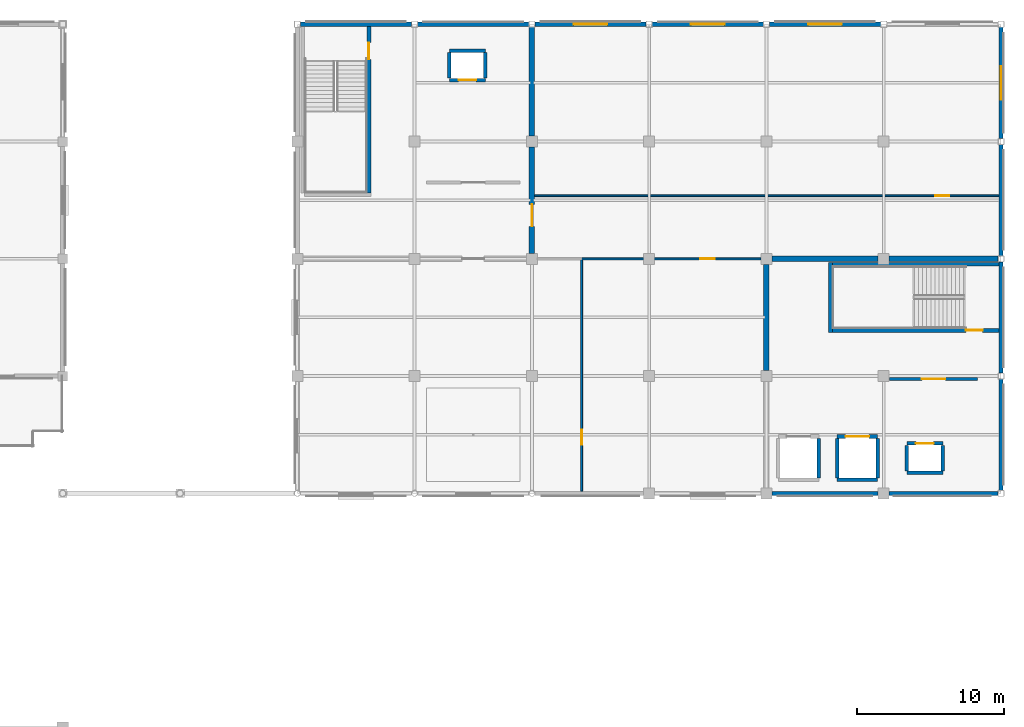
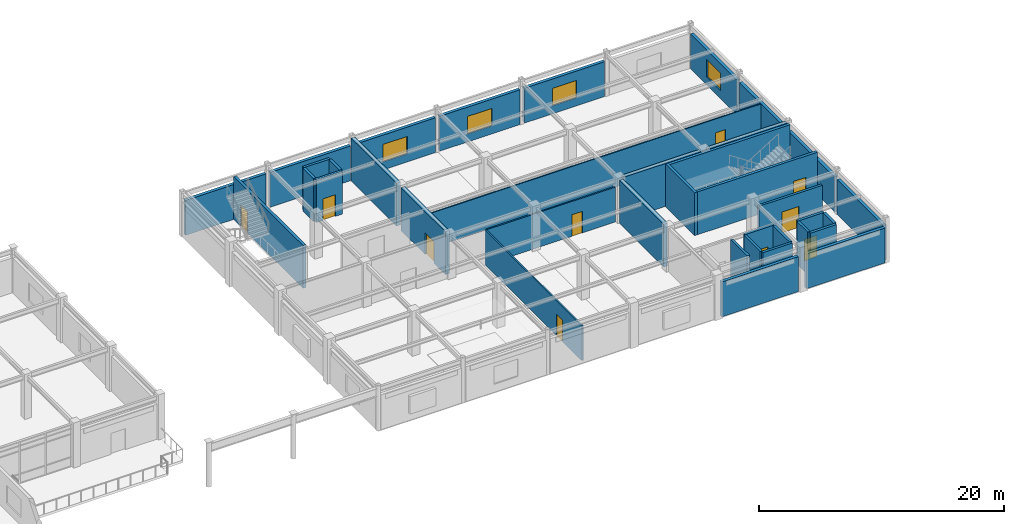
# One storey, part 64 of 78: 37 walls, 10 doors, 4 windows, 14 openings.
"""IFC4 building model written with IfcOpenShell, lengths in metres."""

from ifc_helpers import new_model, si_unit, direction, frame, frame_2d, origin, place, context, subcontext, project, spatial, rectangle, extrude, material, layer, layer_set, type_object, element, fill, save


model = new_model("IFC4")

# Units and contexts
model_context = context("Model", 3, precision=1e-05, world=origin(), true_north=direction((0.0, 1.0)))
body_context = subcontext(model_context, "Body", "Model", "MODEL_VIEW")
ifc_project = project(units=[si_unit("LENGTHUNIT", "METRE"), si_unit("AREAUNIT", "SQUARE_METRE"), si_unit("VOLUMEUNIT", "CUBIC_METRE"), si_unit("PLANEANGLEUNIT", "RADIAN"), si_unit("MASSUNIT", "GRAM", prefix="KILO")], contexts=[model_context])

# Site, building, storey
site_placement = place(None, origin())
site = spatial("IfcSite", under=ifc_project, at=site_placement, CompositionType="ELEMENT")
building_placement = place(site_placement, origin())
building = spatial("IfcBuilding", under=site, at=building_placement, Name="Solmirada Galleria", CompositionType="ELEMENT")
storey_placement = place(building_placement, frame((0.0, 0.0, 23.89990234375)))
storey = spatial("IfcBuildingStorey", under=building, at=storey_placement, Name="L05", CompositionType="ELEMENT", Elevation=23.89990234375)

# Wall, opening, door
ifc_material_1 = material(Name="Concrete C40/50", Category="concrete")
ifc_layer_1 = layer(ifc_material_1, 0.3798828125)
ifc_layer_set_1 = layer_set([ifc_layer_1], Name="Concrete C40/50")
wall_type_1 = type_object("IfcWallType", Name="WL-CORE-380", PredefinedType="SHEAR", material=ifc_layer_set_1)
wall_1_placement = place(storey_placement, frame((144.0, 104.375, 0.0), z_axis=(0.0, 0.0, 1.0), x_axis=(0.0, 1.0, 0.0)))
wall_1 = element("IfcWall", 1, at=wall_1_placement, inside=storey, type_object=wall_type_1, Name="Core C3 shear wall L05 E1", PredefinedType="SHEAR", context=body_context, shape_type="SweptSolid", body=[
    extrude(rectangle(XDim=7.25, YDim=0.3798828125, at=frame_2d((3.625, 0.0))), origin(), (0.0, 0.0, 1.0), 4.280029296875),
])
opening_1_placement = place(wall_1_placement, frame((1.837890625, 0.0, 0.0)))
opening_1 = element("IfcOpeningElement", 2, at=opening_1_placement, cuts=wall_1, Name="Opening LDY-195", PredefinedType="OPENING", context=body_context, shape_type="SweptSolid", body=[
    extrude(rectangle(XDim=1.5, YDim=2.14990234375, at=frame_2d((0.75, 1.074951171875))), frame((0.0, 0.199951171875, 0.0), z_axis=(0.0, -1.0, 0.0), x_axis=(1.0, 0.0, 0.0)), (0.0, 0.0, 1.0), 0.39990234375),
])
ifc_material_2 = material(Name="Fire-rated painted steel door assembly", Category="steel")
door_type_1 = type_object("IfcDoorType", Name="DR-LOBBY-150X215", OperationType="DOUBLE_DOOR_SINGLE_SWING", PredefinedType="DOOR", material=ifc_material_2)
door_1_placement = place(opening_1_placement, origin())
door_1 = element("IfcDoor", 3, at=door_1_placement, inside=storey, type_object=door_type_1, Name="Core C3 lobby access fire door LDY-195", OperationType="DOUBLE_DOOR_SINGLE_SWING", OverallHeight=2.14990234375, OverallWidth=1.5, PredefinedType="DOOR", context=body_context, shape_type="SweptSolid", body=[
    extrude(rectangle(XDim=1.5, YDim=2.14990234375, at=frame_2d((0.75, 1.074951171875))), frame((0.0, 0.02490234375, 0.0), z_axis=(0.0, -1.0, 0.0), x_axis=(1.0, 0.0, 0.0)), (0.0, 0.0, 1.0), 0.050048828125),
])
fill(opening_1, door_1)

# Walls
wall_2_placement = place(storey_placement, frame((144.0, 112.375, 0.0), z_axis=(0.0, 0.0, 1.0), x_axis=(0.0, 1.0, 0.0)))
element("IfcWall", 4, at=wall_2_placement, inside=storey, type_object=wall_type_1, Name="Core C3 shear wall L05 E2", PredefinedType="SHEAR", context=body_context, shape_type="SweptSolid", body=[
    extrude(rectangle(XDim=7.422119140625, YDim=0.3798828125, at=frame_2d((3.7109375, 0.0))), origin(), (0.0, 0.0, 1.0), 4.280029296875),
])
wall_3_placement = place(storey_placement, frame((160.375, 104.0, 0.0), z_axis=(0.0, 0.0, 1.0), x_axis=(1.0, 0.0, 0.0)))
element("IfcWall", 5, at=wall_3_placement, inside=storey, type_object=wall_type_1, Name="Core C4 shear wall L05 N1", PredefinedType="SHEAR", context=body_context, shape_type="SweptSolid", body=[
    extrude(rectangle(XDim=7.25, YDim=0.3798828125, at=frame_2d((3.625, 0.0))), origin(), (0.0, 0.0, 1.0), 4.280029296875),
])
wall_4_placement = place(storey_placement, frame((168.375, 104.0, 0.0), z_axis=(0.0, 0.0, 1.0), x_axis=(1.0, 0.0, 0.0)))
element("IfcWall", 6, at=wall_4_placement, inside=storey, type_object=wall_type_1, Name="Core C4 shear wall L05 N2", PredefinedType="SHEAR", context=body_context, shape_type="SweptSolid", body=[
    extrude(rectangle(XDim=7.422119140625, YDim=0.3798828125, at=frame_2d((3.7109375, 0.0))), origin(), (0.0, 0.0, 1.0), 4.280029296875),
])
wall_5_placement = place(storey_placement, frame((160.0, 96.375, 0.0), z_axis=(0.0, 0.0, 1.0), x_axis=(0.0, 1.0, 0.0)))
element("IfcWall", 7, at=wall_5_placement, inside=storey, type_object=wall_type_1, Name="Core C4 shear wall L05 W2", PredefinedType="SHEAR", context=body_context, shape_type="SweptSolid", body=[
    extrude(rectangle(XDim=7.25, YDim=0.3798828125, at=frame_2d((3.625, 0.0))), origin(), (0.0, 0.0, 1.0), 4.280029296875),
])

# Wall, opening, window
ifc_material_3 = material(Name="Precast concrete C40/50", Category="concrete")
ifc_layer_2 = layer(ifc_material_3, 0.2900390625)
ifc_layer_set_2 = layer_set([ifc_layer_2], Name="Precast concrete C40/50")
wall_type_2 = type_object("IfcWallType", Name="WL-EXT-290", PredefinedType="STANDARD", material=ifc_layer_set_2)
wall_6_placement = place(storey_placement, frame((152.202880859375, 120.0, 0.0), z_axis=(0.0, 0.0, 1.0), x_axis=(1.0, 0.0, 0.0)))
wall_6 = element("IfcWall", 8, at=wall_6_placement, inside=storey, type_object=wall_type_2, Name="Exterior wall L05 bay 067", PredefinedType="STANDARD", context=body_context, shape_type="SweptSolid", body=[
    extrude(rectangle(XDim=7.59423828125, YDim=0.2900390625, at=frame_2d((3.797119140625, 0.0))), origin(), (0.0, 0.0, 1.0), 3.47998046875),
])
opening_2_placement = place(wall_6_placement, frame((2.64697265625, 0.0, 0.800048828125)))
opening_2 = element("IfcOpeningElement", 9, at=opening_2_placement, cuts=wall_6, Name="Opening WN28", PredefinedType="OPENING", context=body_context, shape_type="SweptSolid", body=[
    extrude(rectangle(XDim=2.300048828125, YDim=1.75, at=frame_2d((1.14990234375, 0.875))), frame((0.0, 0.155029296875, 0.0), z_axis=(0.0, -1.0, 0.0), x_axis=(1.0, 0.0, 0.0)), (0.0, 0.0, 1.0), 0.31005859375),
])
ifc_material_4 = material(Name="Impact-resistant low-E double glazing", Category="glass")
window_type = type_object("IfcWindowType", Name="WIN-MOD-230X175", PartitioningType="DOUBLE_PANEL_VERTICAL", PredefinedType="WINDOW", material=ifc_material_4)
window_1_placement = place(opening_2_placement, origin())
window_1 = element("IfcWindow", 10, at=window_1_placement, inside=storey, type_object=window_type, Name="Window L05-178", OverallHeight=1.75, OverallWidth=2.300048828125, PartitioningType="DOUBLE_PANEL_VERTICAL", PredefinedType="WINDOW", context=body_context, shape_type="SweptSolid", body=[
    extrude(rectangle(XDim=2.300048828125, YDim=1.75, at=frame_2d((1.14990234375, 0.875))), frame((0.0, 0.030029296875, 0.0), z_axis=(0.0, -1.0, 0.0), x_axis=(1.0, 0.0, 0.0)), (0.0, 0.0, 1.0), 0.06005859375),
])
fill(opening_2, window_1)

wall_7_placement = place(storey_placement, frame((160.202880859375, 120.0, 0.0), z_axis=(0.0, 0.0, 1.0), x_axis=(1.0, 0.0, 0.0)))
wall_7 = element("IfcWall", 11, at=wall_7_placement, inside=storey, type_object=wall_type_2, Name="Exterior wall L05 bay 068", PredefinedType="STANDARD", context=body_context, shape_type="SweptSolid", body=[
    extrude(rectangle(XDim=7.59423828125, YDim=0.2900390625, at=frame_2d((3.797119140625, 0.0))), origin(), (0.0, 0.0, 1.0), 3.47998046875),
])
opening_3_placement = place(wall_7_placement, frame((2.64697265625, 0.0, 0.800048828125)))
opening_3 = element("IfcOpeningElement", 12, at=opening_3_placement, cuts=wall_7, Name="Opening WN28", PredefinedType="OPENING", context=body_context, shape_type="SweptSolid", body=[
    extrude(rectangle(XDim=2.300048828125, YDim=1.75, at=frame_2d((1.14990234375, 0.875))), frame((0.0, 0.155029296875, 0.0), z_axis=(0.0, -1.0, 0.0), x_axis=(1.0, 0.0, 0.0)), (0.0, 0.0, 1.0), 0.31005859375),
])
window_2_placement = place(opening_3_placement, origin())
window_2 = element("IfcWindow", 13, at=window_2_placement, inside=storey, type_object=window_type, Name="Window L05-179", OverallHeight=1.75, OverallWidth=2.300048828125, PartitioningType="DOUBLE_PANEL_VERTICAL", PredefinedType="WINDOW", context=body_context, shape_type="SweptSolid", body=[
    extrude(rectangle(XDim=2.300048828125, YDim=1.75, at=frame_2d((1.14990234375, 0.875))), frame((0.0, 0.030029296875, 0.0), z_axis=(0.0, -1.0, 0.0), x_axis=(1.0, 0.0, 0.0)), (0.0, 0.0, 1.0), 0.06005859375),
])
fill(opening_3, window_2)

wall_8_placement = place(storey_placement, frame((176.0, 119.797119140625, 0.0), z_axis=(0.0, 0.0, 1.0), x_axis=(0.0, -1.0, 0.0)))
wall_8 = element("IfcWall", 14, at=wall_8_placement, inside=storey, type_object=wall_type_2, Name="Exterior wall L05 bay 070", PredefinedType="STANDARD", context=body_context, shape_type="SweptSolid", body=[
    extrude(rectangle(XDim=7.59423828125, YDim=0.2900390625, at=frame_2d((3.797119140625, 0.0))), origin(), (0.0, 0.0, 1.0), 3.47998046875),
])
opening_4_placement = place(wall_8_placement, frame((2.64697265625, 0.0, 0.800048828125)))
opening_4 = element("IfcOpeningElement", 15, at=opening_4_placement, cuts=wall_8, Name="Opening WN28", PredefinedType="OPENING", context=body_context, shape_type="SweptSolid", body=[
    extrude(rectangle(XDim=2.300048828125, YDim=1.75, at=frame_2d((1.14990234375, 0.875))), frame((0.0, 0.155029296875, 0.0), z_axis=(0.0, -1.0, 0.0), x_axis=(1.0, 0.0, 0.0)), (0.0, 0.0, 1.0), 0.31005859375),
])
window_3_placement = place(opening_4_placement, origin())
window_3 = element("IfcWindow", 16, at=window_3_placement, inside=storey, type_object=window_type, Name="Window L05-181", OverallHeight=1.75, OverallWidth=2.300048828125, PartitioningType="DOUBLE_PANEL_VERTICAL", PredefinedType="WINDOW", context=body_context, shape_type="SweptSolid", body=[
    extrude(rectangle(XDim=2.300048828125, YDim=1.75, at=frame_2d((1.14990234375, 0.875))), frame((0.0, 0.030029296875, 0.0), z_axis=(0.0, -1.0, 0.0), x_axis=(1.0, 0.0, 0.0)), (0.0, 0.0, 1.0), 0.06005859375),
])
fill(opening_4, window_3)

# Walls
for number, where, z_axis, x_axis, name in (
    (17, (176.0, 111.797119140625, 0.0), (0.0, 0.0, 1.0), (0.0, -1.0, 0.0), "Exterior wall L05 bay 071"),
    (18, (176.0, 103.797119140625, 0.0), (0.0, 0.0, 1.0), (0.0, -1.0, 0.0), "Exterior wall L05 bay 072"),
    (19, (176.0, 95.797119140625, 0.0), (0.0, 0.0, 1.0), (0.0, -1.0, 0.0), "Exterior wall L05 bay 073"),
):
    element("IfcWall", number, at=place(storey_placement, frame(where, z_axis=z_axis, x_axis=x_axis)), inside=storey, type_object=wall_type_2, Name=name, PredefinedType="STANDARD", context=body_context, shape_type="SweptSolid", body=[
        extrude(rectangle(XDim=7.59423828125, YDim=0.2900390625, at=frame_2d((3.797119140625, 0.0))), origin(), (0.0, 0.0, 1.0), 3.47998046875),
    ])
wall_9_placement = place(storey_placement, frame((175.797119140625, 88.0, 0.0), z_axis=(0.0, 0.0, 1.0), x_axis=(-1.0, 0.0, 0.0)))
element("IfcWall", 20, at=wall_9_placement, inside=storey, type_object=wall_type_2, Name="Exterior wall L05 bay 074", PredefinedType="STANDARD", context=body_context, shape_type="SweptSolid", body=[
    extrude(rectangle(XDim=7.422119140625, YDim=0.2900390625, at=frame_2d((3.7109375, 0.0))), origin(), (0.0, 0.0, 1.0), 3.47998046875),
])
wall_10_placement = place(storey_placement, frame((167.625, 88.0, 0.0), z_axis=(0.0, 0.0, 1.0), x_axis=(-1.0, 0.0, 0.0)))
element("IfcWall", 21, at=wall_10_placement, inside=storey, type_object=wall_type_2, Name="Exterior wall L05 bay 075", PredefinedType="STANDARD", context=body_context, shape_type="SweptSolid", body=[
    extrude(rectangle(XDim=7.25, YDim=0.2900390625, at=frame_2d((3.625, 0.0))), origin(), (0.0, 0.0, 1.0), 3.47998046875),
])
for number, where, z_axis, x_axis, name in (
    (22, (128.202880859375, 120.0, 0.0), (0.0, 0.0, 1.0), (1.0, 0.0, 0.0), "Exterior wall L05 bay 084"),
    (23, (136.202880859375, 120.0, 0.0), (0.0, 0.0, 1.0), (1.0, 0.0, 0.0), "Exterior wall L05 bay 085"),
):
    element("IfcWall", number, at=place(storey_placement, frame(where, z_axis=z_axis, x_axis=x_axis)), inside=storey, type_object=wall_type_2, Name=name, PredefinedType="STANDARD", context=body_context, shape_type="SweptSolid", body=[
        extrude(rectangle(XDim=7.59423828125, YDim=0.2900390625, at=frame_2d((3.797119140625, 0.0))), origin(), (0.0, 0.0, 1.0), 3.47998046875),
    ])

# Wall, opening, window
wall_11_placement = place(storey_placement, frame((144.202880859375, 120.0, 0.0), z_axis=(0.0, 0.0, 1.0), x_axis=(1.0, 0.0, 0.0)))
wall_11 = element("IfcWall", 24, at=wall_11_placement, inside=storey, type_object=wall_type_2, Name="Exterior wall L05 bay 086", PredefinedType="STANDARD", context=body_context, shape_type="SweptSolid", body=[
    extrude(rectangle(XDim=7.59423828125, YDim=0.2900390625, at=frame_2d((3.797119140625, 0.0))), origin(), (0.0, 0.0, 1.0), 3.47998046875),
])
opening_5_placement = place(wall_11_placement, frame((2.64697265625, 0.0, 0.800048828125)))
opening_5 = element("IfcOpeningElement", 25, at=opening_5_placement, cuts=wall_11, Name="Opening WN28", PredefinedType="OPENING", context=body_context, shape_type="SweptSolid", body=[
    extrude(rectangle(XDim=2.300048828125, YDim=1.75, at=frame_2d((1.14990234375, 0.875))), frame((0.0, 0.155029296875, 0.0), z_axis=(0.0, -1.0, 0.0), x_axis=(1.0, 0.0, 0.0)), (0.0, 0.0, 1.0), 0.31005859375),
])
window_4_placement = place(opening_5_placement, origin())
window_4 = element("IfcWindow", 26, at=window_4_placement, inside=storey, type_object=window_type, Name="Window L05-187", OverallHeight=1.75, OverallWidth=2.300048828125, PartitioningType="DOUBLE_PANEL_VERTICAL", PredefinedType="WINDOW", context=body_context, shape_type="SweptSolid", body=[
    extrude(rectangle(XDim=2.300048828125, YDim=1.75, at=frame_2d((1.14990234375, 0.875))), frame((0.0, 0.030029296875, 0.0), z_axis=(0.0, -1.0, 0.0), x_axis=(1.0, 0.0, 0.0)), (0.0, 0.0, 1.0), 0.06005859375),
])
fill(opening_5, window_4)

# Wall, opening, door
ifc_layer_3 = layer(ifc_material_1, 0.239990234375)
ifc_layer_set_3 = layer_set([ifc_layer_3], Name="Concrete C40/50")
wall_type_3 = type_object("IfcWallType", Name="WL-HOIST-240", PredefinedType="PARTITIONING", material=ifc_layer_set_3)
wall_12_placement = place(storey_placement, frame((138.3701171875, 116.195068359375, 0.0), z_axis=(0.0, 0.0, 1.0), x_axis=(1.0, 0.0, 0.0)))
wall_12 = element("IfcWall", 27, at=wall_12_placement, inside=storey, type_object=wall_type_3, Name="Lift FL1 hoistway front wall L05", PredefinedType="PARTITIONING", context=body_context, shape_type="SweptSolid", body=[
    extrude(rectangle(XDim=2.4599609375, YDim=0.239990234375, at=frame_2d((1.22998046875, 0.0))), origin(), (0.0, 0.0, 1.0), 4.280029296875),
])
opening_6_placement = place(wall_12_placement, frame((0.6298828125, 0.0, 0.0)))
opening_6 = element("IfcOpeningElement", 28, at=opening_6_placement, cuts=wall_12, Name="Opening LD-FL1-L05", PredefinedType="OPENING", context=body_context, shape_type="SweptSolid", body=[
    extrude(rectangle(XDim=1.199951171875, YDim=2.14990234375, at=frame_2d((0.60009765625, 1.074951171875))), frame((0.0, 0.1298828125, 0.0), z_axis=(0.0, -1.0, 0.0), x_axis=(1.0, 0.0, 0.0)), (0.0, 0.0, 1.0), 0.260009765625),
])
ifc_material_5 = material(Name="Brushed stainless-steel sliding landing door", Category="steel")
door_type_2 = type_object("IfcDoorType", Name="DR-LIFT-120X215", OperationType="SLIDING_TO_LEFT", PredefinedType="DOOR", material=ifc_material_5)
door_2_placement = place(opening_6_placement, origin())
door_2 = element("IfcDoor", 29, at=door_2_placement, inside=storey, type_object=door_type_2, Name="Lift FL1 sliding landing door L05", OperationType="SLIDING_TO_LEFT", OverallHeight=2.14990234375, OverallWidth=1.199951171875, PredefinedType="DOOR", context=body_context, shape_type="SweptSolid", body=[
    extrude(rectangle(XDim=1.199951171875, YDim=2.14990234375, at=frame_2d((0.60009765625, 1.074951171875))), frame((0.0, 0.02490234375, 0.0), z_axis=(0.0, -1.0, 0.0), x_axis=(1.0, 0.0, 0.0)), (0.0, 0.0, 1.0), 0.050048828125),
])
fill(opening_6, door_2)

# Walls
wall_13_placement = place(storey_placement, frame((138.3701171875, 118.205078125, 0.0), z_axis=(0.0, 0.0, 1.0), x_axis=(1.0, 0.0, 0.0)))
element("IfcWall", 30, at=wall_13_placement, inside=storey, type_object=wall_type_3, Name="Lift FL1 hoistway rear wall L05", PredefinedType="PARTITIONING", context=body_context, shape_type="SweptSolid", body=[
    extrude(rectangle(XDim=2.4599609375, YDim=0.239990234375, at=frame_2d((1.22998046875, 0.0))), origin(), (0.0, 0.0, 1.0), 4.280029296875),
])
for number, where, z_axis, x_axis, name in (
    (31, (138.3701171875, 116.3349609375, 0.0), (0.0, 0.0, 1.0), (0.0, 1.0, 0.0), "Lift FL1 hoistway side wall L L05"),
    (32, (140.830078125, 116.3349609375, 0.0), (0.0, 0.0, 1.0), (0.0, 1.0, 0.0), "Lift FL1 hoistway side wall R L05"),
):
    element("IfcWall", number, at=place(storey_placement, frame(where, z_axis=z_axis, x_axis=x_axis)), inside=storey, type_object=wall_type_3, Name=name, PredefinedType="PARTITIONING", context=body_context, shape_type="SweptSolid", body=[
        extrude(rectangle(XDim=1.72998046875, YDim=0.239990234375, at=frame_2d((0.864990234375, 0.0))), origin(), (0.0, 0.0, 1.0), 4.280029296875),
    ])

# Wall, opening, door
wall_14_placement = place(storey_placement, frame((169.570068359375, 91.405029296875, 0.0), z_axis=(0.0, 0.0, 1.0), x_axis=(1.0, 0.0, 0.0)))
wall_14 = element("IfcWall", 33, at=wall_14_placement, inside=storey, type_object=wall_type_3, Name="Lift FL2 hoistway front wall L05", PredefinedType="PARTITIONING", context=body_context, shape_type="SweptSolid", body=[
    extrude(rectangle(XDim=2.4599609375, YDim=0.239990234375, at=frame_2d((1.22998046875, 0.0))), origin(), (0.0, 0.0, 1.0), 4.280029296875),
])
opening_7_placement = place(wall_14_placement, frame((0.6298828125, 0.0, 0.0)))
opening_7 = element("IfcOpeningElement", 34, at=opening_7_placement, cuts=wall_14, Name="Opening LD-FL2-L05", PredefinedType="OPENING", context=body_context, shape_type="SweptSolid", body=[
    extrude(rectangle(XDim=1.199951171875, YDim=2.14990234375, at=frame_2d((0.60009765625, 1.074951171875))), frame((0.0, 0.1298828125, 0.0), z_axis=(0.0, -1.0, 0.0), x_axis=(1.0, 0.0, 0.0)), (0.0, 0.0, 1.0), 0.260009765625),
])
door_3_placement = place(opening_7_placement, origin())
door_3 = element("IfcDoor", 35, at=door_3_placement, inside=storey, type_object=door_type_2, Name="Lift FL2 sliding landing door L05", OperationType="SLIDING_TO_LEFT", OverallHeight=2.14990234375, OverallWidth=1.199951171875, PredefinedType="DOOR", context=body_context, shape_type="SweptSolid", body=[
    extrude(rectangle(XDim=1.199951171875, YDim=2.14990234375, at=frame_2d((0.60009765625, 1.074951171875))), frame((0.0, 0.02490234375, 0.0), z_axis=(0.0, -1.0, 0.0), x_axis=(1.0, 0.0, 0.0)), (0.0, 0.0, 1.0), 0.050048828125),
])
fill(opening_7, door_3)

# Walls
wall_15_placement = place(storey_placement, frame((169.570068359375, 89.39501953125, 0.0), z_axis=(0.0, 0.0, 1.0), x_axis=(1.0, 0.0, 0.0)))
element("IfcWall", 36, at=wall_15_placement, inside=storey, type_object=wall_type_3, Name="Lift FL2 hoistway rear wall L05", PredefinedType="PARTITIONING", context=body_context, shape_type="SweptSolid", body=[
    extrude(rectangle(XDim=2.4599609375, YDim=0.239990234375, at=frame_2d((1.22998046875, 0.0))), origin(), (0.0, 0.0, 1.0), 4.280029296875),
])
for number, where, z_axis, x_axis, name in (
    (37, (169.570068359375, 89.534912109375, 0.0), (0.0, 0.0, 1.0), (0.0, 1.0, 0.0), "Lift FL2 hoistway side wall L L05"),
    (38, (172.030029296875, 89.534912109375, 0.0), (0.0, 0.0, 1.0), (0.0, 1.0, 0.0), "Lift FL2 hoistway side wall R L05"),
):
    element("IfcWall", number, at=place(storey_placement, frame(where, z_axis=z_axis, x_axis=x_axis)), inside=storey, type_object=wall_type_3, Name=name, PredefinedType="PARTITIONING", context=body_context, shape_type="SweptSolid", body=[
        extrude(rectangle(XDim=1.72998046875, YDim=0.239990234375, at=frame_2d((0.864990234375, 0.0))), origin(), (0.0, 0.0, 1.0), 4.280029296875),
    ])

# Wall, opening, door
wall_16_placement = place(storey_placement, frame((164.820068359375, 91.8798828125, 0.0), z_axis=(0.0, 0.0, 1.0), x_axis=(1.0, 0.0, 0.0)))
wall_16 = element("IfcWall", 39, at=wall_16_placement, inside=storey, type_object=wall_type_3, Name="Lift GF1 hoistway front wall L05", PredefinedType="PARTITIONING", context=body_context, shape_type="SweptSolid", body=[
    extrude(rectangle(XDim=2.760009765625, YDim=0.239990234375, at=frame_2d((1.3798828125, 0.0))), origin(), (0.0, 0.0, 1.0), 4.280029296875),
])
opening_8_placement = place(wall_16_placement, frame((0.580078125, 0.0, 0.0)))
opening_8 = element("IfcOpeningElement", 40, at=opening_8_placement, cuts=wall_16, Name="Opening LD-GF1-L05", PredefinedType="OPENING", context=body_context, shape_type="SweptSolid", body=[
    extrude(rectangle(XDim=1.60009765625, YDim=2.300048828125, at=frame_2d((0.800048828125, 1.14990234375))), frame((0.0, 0.1298828125, 0.0), z_axis=(0.0, -1.0, 0.0), x_axis=(1.0, 0.0, 0.0)), (0.0, 0.0, 1.0), 0.260009765625),
])
door_type_3 = type_object("IfcDoorType", Name="DR-LIFT-160X230", OperationType="SLIDING_TO_LEFT", PredefinedType="DOOR", material=ifc_material_5)
door_4_placement = place(opening_8_placement, origin())
door_4 = element("IfcDoor", 41, at=door_4_placement, inside=storey, type_object=door_type_3, Name="Lift GF1 sliding landing door L05", OperationType="SLIDING_TO_LEFT", OverallHeight=2.300048828125, OverallWidth=1.60009765625, PredefinedType="DOOR", context=body_context, shape_type="SweptSolid", body=[
    extrude(rectangle(XDim=1.60009765625, YDim=2.300048828125, at=frame_2d((0.800048828125, 1.14990234375))), frame((0.0, 0.02490234375, 0.0), z_axis=(0.0, -1.0, 0.0), x_axis=(1.0, 0.0, 0.0)), (0.0, 0.0, 1.0), 0.050048828125),
])
fill(opening_8, door_4)

# Walls
wall_17_placement = place(storey_placement, frame((164.820068359375, 88.919921875, 0.0), z_axis=(0.0, 0.0, 1.0), x_axis=(1.0, 0.0, 0.0)))
element("IfcWall", 42, at=wall_17_placement, inside=storey, type_object=wall_type_3, Name="Lift GF1 hoistway rear wall L05", PredefinedType="PARTITIONING", context=body_context, shape_type="SweptSolid", body=[
    extrude(rectangle(XDim=2.760009765625, YDim=0.239990234375, at=frame_2d((1.3798828125, 0.0))), origin(), (0.0, 0.0, 1.0), 4.280029296875),
])
for number, where, z_axis, x_axis, name in (
    (43, (164.820068359375, 89.06005859375, 0.0), (0.0, 0.0, 1.0), (0.0, 1.0, 0.0), "Lift GF1 hoistway side wall L L05"),
    (44, (167.580078125, 89.06005859375, 0.0), (0.0, 0.0, 1.0), (0.0, 1.0, 0.0), "Lift GF1 hoistway side wall R L05"),
    (45, (163.580078125, 89.06005859375, 0.0), (0.0, 0.0, 1.0), (0.0, 1.0, 0.0), "Lift GF2 hoistway side wall R L05"),
):
    element("IfcWall", number, at=place(storey_placement, frame(where, z_axis=z_axis, x_axis=x_axis)), inside=storey, type_object=wall_type_3, Name=name, PredefinedType="PARTITIONING", context=body_context, shape_type="SweptSolid", body=[
        extrude(rectangle(XDim=2.679931640625, YDim=0.239990234375, at=frame_2d((1.33984375, 0.0))), origin(), (0.0, 0.0, 1.0), 4.280029296875),
    ])

# Wall, opening, door
ifc_material_6 = material(Name="Acoustic gypsum board partition")
ifc_layer_4 = layer(ifc_material_6, 0.114990234375)
ifc_layer_set_4 = layer_set([ifc_layer_4], Name="Acoustic gypsum board partition")
wall_type_4 = type_object("IfcWallType", Name="WL-PART-115", PredefinedType="PARTITIONING", material=ifc_layer_set_4)
wall_18_placement = place(storey_placement, frame((144.0, 108.300048828125, 0.0), z_axis=(0.0, 0.0, 1.0), x_axis=(1.0, 0.0, 0.0)))
wall_18 = element("IfcWall", 46, at=wall_18_placement, inside=storey, type_object=wall_type_4, Name="Partition L05-158 (Staff Suite L05)", PredefinedType="PARTITIONING", context=body_context, shape_type="SweptSolid", body=[
    extrude(rectangle(XDim=31.85009765625, YDim=0.114990234375, at=frame_2d((15.925048828125, 0.0))), origin(), (0.0, 0.0, 1.0), 3.47998046875),
])
opening_9_placement = place(wall_18_placement, frame((27.530029296875, 0.0, 0.0)))
opening_9 = element("IfcOpeningElement", 47, at=opening_9_placement, cuts=wall_18, Name="Opening ID-371", PredefinedType="OPENING", context=body_context, shape_type="SweptSolid", body=[
    extrude(rectangle(XDim=0.949951171875, YDim=2.10009765625, at=frame_2d((0.47509765625, 1.050048828125))), frame((0.0, 0.0673828125, 0.0), z_axis=(0.0, -1.0, 0.0), x_axis=(1.0, 0.0, 0.0)), (0.0, 0.0, 1.0), 0.135009765625),
])
ifc_material_7 = material(Name="Architectural hardwood veneer door", Category="wood")
door_type_4 = type_object("IfcDoorType", Name="DR-ROOM-095X210", OperationType="NOTDEFINED", PredefinedType="DOOR", material=ifc_material_7)
door_5_placement = place(opening_9_placement, origin())
door_5 = element("IfcDoor", 48, at=door_5_placement, inside=storey, type_object=door_type_4, Name="Staff Suite L05 door ID-371", OperationType="SINGLE_SWING_LEFT", OverallHeight=2.10009765625, OverallWidth=0.949951171875, PredefinedType="DOOR", context=body_context, shape_type="SweptSolid", body=[
    extrude(rectangle(XDim=0.949951171875, YDim=2.10009765625, at=frame_2d((0.47509765625, 1.050048828125))), frame((0.0, 0.02490234375, 0.0), z_axis=(0.0, -1.0, 0.0), x_axis=(1.0, 0.0, 0.0)), (0.0, 0.0, 1.0), 0.050048828125),
])
fill(opening_9, door_5)

ifc_layer_5 = layer(ifc_material_6, 0.135009765625)
ifc_layer_set_5 = layer_set([ifc_layer_5], Name="Acoustic gypsum board partition")
wall_type_5 = type_object("IfcWallType", Name="WL-PART-135", PredefinedType="PARTITIONING", material=ifc_layer_set_5)
wall_19_placement = place(storey_placement, frame((147.39990234375, 104.0, 0.0), z_axis=(0.0, 0.0, 1.0), x_axis=(1.0, 0.0, 0.0)))
wall_19 = element("IfcWall", 49, at=wall_19_placement, inside=storey, type_object=wall_type_5, Name="Partition L05-156 (NE Corridor South E L05)", PredefinedType="PARTITIONING", context=body_context, shape_type="SweptSolid", body=[
    extrude(rectangle(XDim=12.22509765625, YDim=0.135009765625, at=frame_2d((6.112548828125, 0.0))), origin(), (0.0, 0.0, 1.0), 3.47998046875),
])
opening_10_placement = place(wall_19_placement, frame((8.089111328125, 0.0, 0.0)))
opening_10 = element("IfcOpeningElement", 50, at=opening_10_placement, cuts=wall_19, Name="Opening ID-369", PredefinedType="OPENING", context=body_context, shape_type="SweptSolid", body=[
    extrude(rectangle(XDim=1.0, YDim=2.14990234375, at=frame_2d((0.5, 1.074951171875))), frame((0.0, 0.077392578125, 0.0), z_axis=(0.0, -1.0, 0.0), x_axis=(1.0, 0.0, 0.0)), (0.0, 0.0, 1.0), 0.155029296875),
])
door_type_5 = type_object("IfcDoorType", Name="DR-ROOM-100X215", OperationType="NOTDEFINED", PredefinedType="DOOR", material=ifc_material_7)
door_6_placement = place(opening_10_placement, origin())
door_6 = element("IfcDoor", 51, at=door_6_placement, inside=storey, type_object=door_type_5, Name="NE Corridor South E L05 door ID-369", OperationType="SINGLE_SWING_LEFT", OverallHeight=2.14990234375, OverallWidth=1.0, PredefinedType="DOOR", context=body_context, shape_type="SweptSolid", body=[
    extrude(rectangle(XDim=1.0, YDim=2.14990234375, at=frame_2d((0.5, 1.074951171875))), frame((0.0, 0.02490234375, 0.0), z_axis=(0.0, -1.0, 0.0), x_axis=(1.0, 0.0, 0.0)), (0.0, 0.0, 1.0), 0.050048828125),
])
fill(opening_10, door_6)

wall_20_placement = place(storey_placement, frame((147.39990234375, 88.14990234375, 0.0), z_axis=(0.0, 0.0, 1.0), x_axis=(0.0, 1.0, 0.0)))
wall_20 = element("IfcWall", 52, at=wall_20_placement, inside=storey, type_object=wall_type_5, Name="Partition L05-157 (Buying Studio L05)", PredefinedType="PARTITIONING", context=body_context, shape_type="SweptSolid", body=[
    extrude(rectangle(XDim=15.85009765625, YDim=0.135009765625, at=frame_2d((7.925048828125, 0.0))), origin(), (0.0, 0.0, 1.0), 3.47998046875),
])
opening_11_placement = place(wall_20_placement, frame((3.179931640625, 0.0, 0.0)))
opening_11 = element("IfcOpeningElement", 53, at=opening_11_placement, cuts=wall_20, Name="Opening ID-370", PredefinedType="OPENING", context=body_context, shape_type="SweptSolid", body=[
    extrude(rectangle(XDim=1.0, YDim=2.14990234375, at=frame_2d((0.5, 1.074951171875))), frame((0.0, 0.077392578125, 0.0), z_axis=(0.0, -1.0, 0.0), x_axis=(1.0, 0.0, 0.0)), (0.0, 0.0, 1.0), 0.155029296875),
])
door_7_placement = place(opening_11_placement, origin())
door_7 = element("IfcDoor", 54, at=door_7_placement, inside=storey, type_object=door_type_5, Name="Buying Studio L05 door ID-370", OperationType="SINGLE_SWING_RIGHT", OverallHeight=2.14990234375, OverallWidth=1.0, PredefinedType="DOOR", context=body_context, shape_type="SweptSolid", body=[
    extrude(rectangle(XDim=1.0, YDim=2.14990234375, at=frame_2d((0.5, 1.074951171875))), frame((0.0, 0.02490234375, 0.0), z_axis=(0.0, -1.0, 0.0), x_axis=(1.0, 0.0, 0.0)), (0.0, 0.0, 1.0), 0.050048828125),
])
fill(opening_11, door_7)

ifc_material_8 = material(Name="Fire-rated gypsum and steel-stud partition", Category="steel")
ifc_layer_6 = layer(ifc_material_8, 0.219970703125)
ifc_layer_set_6 = layer_set([ifc_layer_6], Name="Fire-rated gypsum and steel-stud partition")
wall_type_6 = type_object("IfcWallType", Name="WL-PART-220", PredefinedType="PARTITIONING", material=ifc_layer_set_6)
wall_21_placement = place(storey_placement, frame((168.39990234375, 95.800048828125, 0.0), z_axis=(0.0, 0.0, 1.0), x_axis=(1.0, 0.0, 0.0)))
wall_21 = element("IfcWall", 55, at=wall_21_placement, inside=storey, type_object=wall_type_6, Name="Firefighting lift lobby C4 smoke barrier L05", PredefinedType="PARTITIONING", context=body_context, shape_type="SweptSolid", body=[
    extrude(rectangle(XDim=6.0, YDim=0.219970703125, at=frame_2d((3.0, 0.0))), origin(), (0.0, 0.0, 1.0), 3.47998046875),
])
opening_12_placement = place(wall_21_placement, frame((2.199951171875, 0.0, 0.0)))
opening_12 = element("IfcOpeningElement", 56, at=opening_12_placement, cuts=wall_21, Name="Opening FD-218", PredefinedType="OPENING", context=body_context, shape_type="SweptSolid", body=[
    extrude(rectangle(XDim=1.60009765625, YDim=2.14990234375, at=frame_2d((0.800048828125, 1.074951171875))), frame((0.0, 0.119873046875, 0.0), z_axis=(0.0, -1.0, 0.0), x_axis=(1.0, 0.0, 0.0)), (0.0, 0.0, 1.0), 0.239990234375),
])
door_type_6 = type_object("IfcDoorType", Name="DR-FFLOB-160X215", OperationType="DOUBLE_DOOR_SINGLE_SWING", PredefinedType="DOOR", material=ifc_material_2)
door_8_placement = place(opening_12_placement, origin())
door_8 = element("IfcDoor", 57, at=door_8_placement, inside=storey, type_object=door_type_6, Name="Firefighting lift lobby internal door FD-218", OperationType="DOUBLE_DOOR_SINGLE_SWING", OverallHeight=2.14990234375, OverallWidth=1.60009765625, PredefinedType="DOOR", context=body_context, shape_type="SweptSolid", body=[
    extrude(rectangle(XDim=1.60009765625, YDim=2.14990234375, at=frame_2d((0.800048828125, 1.074951171875))), frame((0.0, 0.02490234375, 0.0), z_axis=(0.0, -1.0, 0.0), x_axis=(1.0, 0.0, 0.0)), (0.0, 0.0, 1.0), 0.050048828125),
])
fill(opening_12, door_8)

ifc_layer_7 = layer(ifc_material_1, 0.260009765625)
ifc_layer_set_7 = layer_set([ifc_layer_7], Name="Concrete C40/50")
wall_type_7 = type_object("IfcWallType", Name="WL-SHAFT-260", PredefinedType="SHEAR", material=ifc_layer_set_7)
wall_22_placement = place(storey_placement, frame((132.8798828125, 108.5, 0.0), z_axis=(0.0, 0.0, 1.0), x_axis=(0.0, 1.0, 0.0)))
wall_22 = element("IfcWall", 58, at=wall_22_placement, inside=storey, type_object=wall_type_7, Name="Stair ST3 enclosure wall L05 E", PredefinedType="SHEAR", context=body_context, shape_type="SweptSolid", body=[
    extrude(rectangle(XDim=11.35498046875, YDim=0.260009765625, at=frame_2d((5.677490234375, 0.0))), origin(), (0.0, 0.0, 1.0), 4.280029296875),
])
opening_13_placement = place(wall_22_placement, frame((9.10009765625, 0.0, 0.0)))
opening_13 = element("IfcOpeningElement", 59, at=opening_13_placement, cuts=wall_22, Name="Opening SD-193", PredefinedType="OPENING", context=body_context, shape_type="SweptSolid", body=[
    extrude(rectangle(XDim=1.14990234375, YDim=2.14990234375, at=frame_2d((0.574951171875, 1.074951171875))), frame((0.0, 0.139892578125, 0.0), z_axis=(0.0, -1.0, 0.0), x_axis=(1.0, 0.0, 0.0)), (0.0, 0.0, 1.0), 0.280029296875),
])
door_type_7 = type_object("IfcDoorType", Name="DR-STAIR-115X215", OperationType="NOTDEFINED", PredefinedType="DOOR", material=ifc_material_2)
door_9_placement = place(opening_13_placement, origin())
door_9 = element("IfcDoor", 60, at=door_9_placement, inside=storey, type_object=door_type_7, Name="Exit stair ST3 enclosure fire door SD-193", OperationType="SINGLE_SWING_LEFT", OverallHeight=2.14990234375, OverallWidth=1.14990234375, PredefinedType="DOOR", context=body_context, shape_type="SweptSolid", body=[
    extrude(rectangle(XDim=1.14990234375, YDim=2.14990234375, at=frame_2d((0.574951171875, 1.074951171875))), frame((0.0, 0.02490234375, 0.0), z_axis=(0.0, -1.0, 0.0), x_axis=(1.0, 0.0, 0.0)), (0.0, 0.0, 1.0), 0.050048828125),
])
fill(opening_13, door_9)

# Wall
wall_23_placement = place(storey_placement, frame((164.3701171875, 98.989990234375, 0.0), z_axis=(0.0, 0.0, 1.0), x_axis=(0.0, 1.0, 0.0)))
element("IfcWall", 61, at=wall_23_placement, inside=storey, type_object=wall_type_7, Name="Stair ST4 enclosure wall L05 W", PredefinedType="SHEAR", context=body_context, shape_type="SweptSolid", body=[
    extrude(rectangle(XDim=4.77001953125, YDim=0.260009765625, at=frame_2d((2.385009765625, 0.0))), origin(), (0.0, 0.0, 1.0), 4.280029296875),
])

# Wall, opening, door
wall_24_placement = place(storey_placement, frame((164.5, 99.1201171875, 0.0), z_axis=(0.0, 0.0, 1.0), x_axis=(1.0, 0.0, 0.0)))
wall_24 = element("IfcWall", 62, at=wall_24_placement, inside=storey, type_object=wall_type_7, Name="Stair ST4 enclosure wall L05 S", PredefinedType="SHEAR", context=body_context, shape_type="SweptSolid", body=[
    extrude(rectangle(XDim=11.35498046875, YDim=0.260009765625, at=frame_2d((5.677490234375, 0.0))), origin(), (0.0, 0.0, 1.0), 4.280029296875),
])
opening_14_placement = place(wall_24_placement, frame((9.10009765625, 0.0, 0.0)))
opening_14 = element("IfcOpeningElement", 63, at=opening_14_placement, cuts=wall_24, Name="Opening SD-217", PredefinedType="OPENING", context=body_context, shape_type="SweptSolid", body=[
    extrude(rectangle(XDim=1.14990234375, YDim=2.14990234375, at=frame_2d((0.574951171875, 1.074951171875))), frame((0.0, 0.139892578125, 0.0), z_axis=(0.0, -1.0, 0.0), x_axis=(1.0, 0.0, 0.0)), (0.0, 0.0, 1.0), 0.280029296875),
])
door_10_placement = place(opening_14_placement, origin())
door_10 = element("IfcDoor", 64, at=door_10_placement, inside=storey, type_object=door_type_7, Name="Exit stair ST4 enclosure fire door SD-217", OperationType="SINGLE_SWING_RIGHT", OverallHeight=2.14990234375, OverallWidth=1.14990234375, PredefinedType="DOOR", context=body_context, shape_type="SweptSolid", body=[
    extrude(rectangle(XDim=1.14990234375, YDim=2.14990234375, at=frame_2d((0.574951171875, 1.074951171875))), frame((0.0, 0.02490234375, 0.0), z_axis=(0.0, -1.0, 0.0), x_axis=(1.0, 0.0, 0.0)), (0.0, 0.0, 1.0), 0.050048828125),
])
fill(opening_14, door_10)

# Wall
wall_25_placement = place(storey_placement, frame((164.5, 103.6298828125, 0.0), z_axis=(0.0, 0.0, 1.0), x_axis=(1.0, 0.0, 0.0)))
element("IfcWall", 65, at=wall_25_placement, inside=storey, type_object=wall_type_7, Name="Stair ST4 enclosure wall L05 N", PredefinedType="SHEAR", context=body_context, shape_type="SweptSolid", body=[
    extrude(rectangle(XDim=11.35498046875, YDim=0.260009765625, at=frame_2d((5.677490234375, 0.0))), origin(), (0.0, 0.0, 1.0), 4.280029296875),
])

save(model, "model.ifc")
